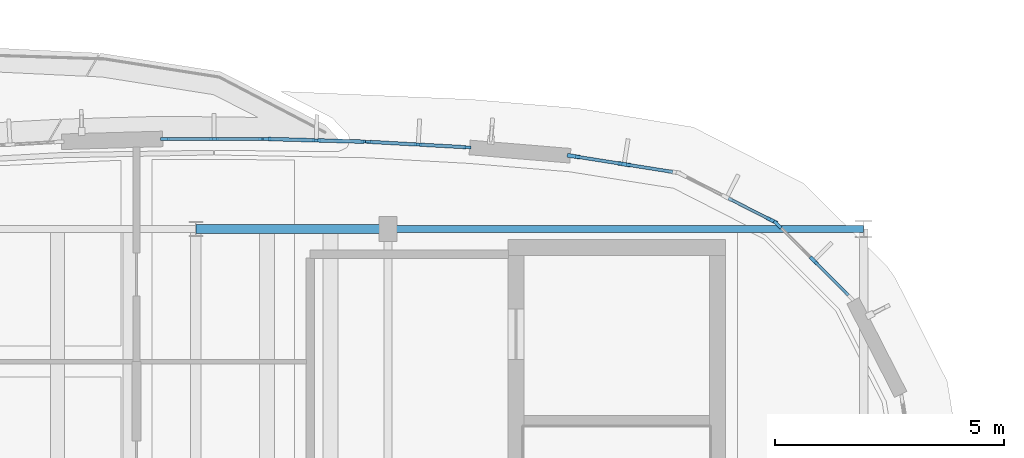
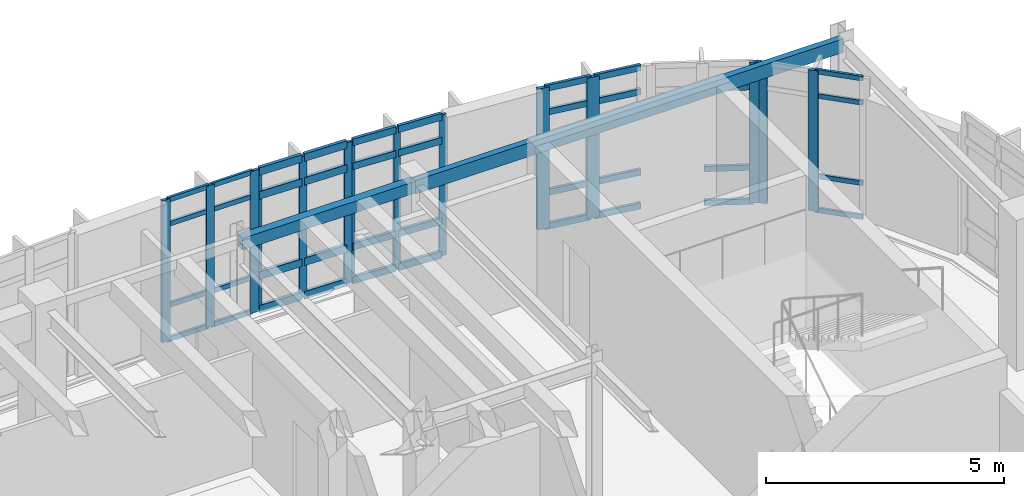
# One storey, part 50 of 105: 53 members, 2 beams, 6 elements without a shape of their own.
"""IFC4 building model written with IfcOpenShell, lengths in metres."""

from ifc_helpers import new_model, si_unit, direction, frame, origin, origin_2d, place, context, subcontext, project, spatial, rectangle, hollow_rectangle, extrude, material, material_profile, profile_set, type_object, element, aggregate, save


model = new_model("IFC4")

# Units and contexts
model_context = context("Model", 3, precision=1e-05, world=origin(), true_north=direction((0.0, 1.0)))
body_context = subcontext(model_context, "Body", "Model", "MODEL_VIEW")
ifc_project = project(units=[si_unit("LENGTHUNIT", "METRE"), si_unit("AREAUNIT", "SQUARE_METRE"), si_unit("VOLUMEUNIT", "CUBIC_METRE"), si_unit("PLANEANGLEUNIT", "RADIAN"), si_unit("MASSUNIT", "GRAM", prefix="KILO")], contexts=[model_context])

# Site, building, storey
site_placement = place(None, origin())
site = spatial("IfcSite", under=ifc_project, at=site_placement, CompositionType="ELEMENT")
building_placement = place(site_placement, origin())
building = spatial("IfcBuilding", under=site, at=building_placement, Name="Corveleigh Park Community Centre", CompositionType="ELEMENT")
storey_placement = place(building_placement, frame((0.0, 0.0, 8.699951171875)))
storey = spatial("IfcBuildingStorey", under=building, at=storey_placement, Name="L02", CompositionType="ELEMENT", Elevation=8.699951171875)

# Curtain wall, members
ifc_material_1 = material(Name="Anodised aluminium 6063-T6", Category="aluminium")
curtain_wall_type = type_object("IfcCurtainWallType", Name="CW-SYS-V4-L01", PredefinedType="NOTDEFINED", material=ifc_material_1)
curtain_wall_1_placement = place(storey_placement, origin())
curtain_wall_1 = element("IfcCurtainWall", 1, at=curtain_wall_1_placement, inside=storey, type_object=curtain_wall_type, Name="V4 L02 Curtain Wall 379", PredefinedType="NOTDEFINED")
ifc_material_profile_1 = material_profile(ifc_material_1, rectangle(XDim=0.06005859375, YDim=0.159912109375, at=origin_2d()), Name="ALU-M60x160", Category="aluminium")
ifc_profile_set_1 = profile_set([ifc_material_profile_1], Name="Anodised aluminium 6063-T6")
member_type_1 = type_object("IfcMemberType", Name="CWM-60x160", PredefinedType="MULLION", material=ifc_profile_set_1)
member_1_placement = place(storey_placement, frame((157.5859375, 106.105224609375, 0.0), z_axis=(0.0, 0.0, 1.0), x_axis=(0.055545052181, 0.998456181902, 0.0)))
member_1 = element("IfcMember", 2, at=member_1_placement, type_object=member_type_1, Name="CW08 mullion 1", PredefinedType="MULLION", context=body_context, shape_type="SweptSolid", body=[
    extrude(rectangle(XDim=0.06005859375, YDim=0.159912109375, at=origin_2d()), origin(), (0.0, 0.0, 1.0), 3.612060546875),
])
member_2_placement = place(storey_placement, frame((158.66162109375, 106.04541015625, 0.0), z_axis=(0.0, 0.0, 1.0), x_axis=(0.055545052181, 0.998456181902, 0.0)))
member_2 = element("IfcMember", 3, at=member_2_placement, type_object=member_type_1, Name="CW08 mullion 2", PredefinedType="MULLION", context=body_context, shape_type="SweptSolid", body=[
    extrude(rectangle(XDim=0.06005859375, YDim=0.159912109375, at=origin_2d()), origin(), (0.0, 0.0, 1.0), 3.612060546875),
])
member_3_placement = place(storey_placement, frame((159.737060546875, 105.985595703125, 0.0), z_axis=(0.0, 0.0, 1.0), x_axis=(0.055545052181, 0.998456181902, 0.0)))
member_3 = element("IfcMember", 4, at=member_3_placement, type_object=member_type_1, Name="CW08 mullion 3", PredefinedType="MULLION", context=body_context, shape_type="SweptSolid", body=[
    extrude(rectangle(XDim=0.06005859375, YDim=0.159912109375, at=origin_2d()), origin(), (0.0, 0.0, 1.0), 3.612060546875),
])

curtain_wall_2_placement = place(storey_placement, origin())
curtain_wall_2 = element("IfcCurtainWall", 5, at=curtain_wall_2_placement, inside=storey, type_object=curtain_wall_type, Name="V4 L02 Curtain Wall 380", PredefinedType="NOTDEFINED")
ifc_material_profile_2 = material_profile(ifc_material_1, rectangle(XDim=0.06494140625, YDim=0.179931640625, at=origin_2d()), Name="ALU-M65x180", Category="aluminium")
ifc_profile_set_2 = profile_set([ifc_material_profile_2], Name="Anodised aluminium 6063-T6")
member_type_2 = type_object("IfcMemberType", Name="CWM-65x180", PredefinedType="MULLION", material=ifc_profile_set_2)
member_4_placement = place(storey_placement, frame((155.357421875, 106.16796875, 0.0), z_axis=(0.0, 0.0, 1.0), x_axis=(0.028005278833, 0.999607775259, 0.0)))
member_4 = element("IfcMember", 6, at=member_4_placement, type_object=member_type_2, Name="CW08 mullion 1", PredefinedType="MULLION", context=body_context, shape_type="SweptSolid", body=[
    extrude(rectangle(XDim=0.06494140625, YDim=0.179931640625, at=origin_2d()), origin(), (0.0, 0.0, 1.0), 3.612060546875),
])
member_5_placement = place(storey_placement, frame((156.431396484375, 106.137939453125, 0.0), z_axis=(0.0, 0.0, 1.0), x_axis=(0.028005278833, 0.999607775259, 0.0)))
member_5 = element("IfcMember", 7, at=member_5_placement, type_object=member_type_2, Name="CW08 mullion 2", PredefinedType="MULLION", context=body_context, shape_type="SweptSolid", body=[
    extrude(rectangle(XDim=0.06494140625, YDim=0.179931640625, at=origin_2d()), origin(), (0.0, 0.0, 1.0), 3.612060546875),
])
member_6_placement = place(storey_placement, frame((157.505615234375, 106.10791015625, 0.0), z_axis=(0.0, 0.0, 1.0), x_axis=(0.028005278833, 0.999607775259, 0.0)))
member_6 = element("IfcMember", 8, at=member_6_placement, type_object=member_type_2, Name="CW08 mullion 3", PredefinedType="MULLION", context=body_context, shape_type="SweptSolid", body=[
    extrude(rectangle(XDim=0.06494140625, YDim=0.179931640625, at=origin_2d()), origin(), (0.0, 0.0, 1.0), 3.612060546875),
])

curtain_wall_3_placement = place(storey_placement, origin())
curtain_wall_3 = element("IfcCurtainWall", 9, at=curtain_wall_3_placement, inside=storey, type_object=curtain_wall_type, Name="V4 L02 Curtain Wall 381", PredefinedType="NOTDEFINED")
ifc_material_profile_3 = material_profile(ifc_material_1, rectangle(XDim=0.070068359375, YDim=0.199951171875, at=origin_2d()), Name="ALU-M70x200", Category="aluminium")
ifc_profile_set_3 = profile_set([ifc_material_profile_3], Name="Anodised aluminium 6063-T6")
member_type_3 = type_object("IfcMemberType", Name="CWM-70x200", PredefinedType="MULLION", material=ifc_profile_set_3)
member_7_placement = place(storey_placement, frame((153.1279296875, 106.1689453125, 0.0), z_axis=(0.0, 0.0, 1.0), x_axis=(0.0, 1.0, 0.0)))
member_7 = element("IfcMember", 10, at=member_7_placement, type_object=member_type_3, Name="CW08 mullion 1", PredefinedType="MULLION", context=body_context, shape_type="SweptSolid", body=[
    extrude(rectangle(XDim=0.070068359375, YDim=0.199951171875, at=origin_2d()), origin(), (0.0, 0.0, 1.0), 3.636962890625),
])
member_8_placement = place(storey_placement, frame((154.199951171875, 106.1689453125, 0.0), z_axis=(0.0, 0.0, 1.0), x_axis=(0.0, 1.0, 0.0)))
member_8 = element("IfcMember", 11, at=member_8_placement, type_object=member_type_3, Name="CW08 mullion 2", PredefinedType="MULLION", context=body_context, shape_type="SweptSolid", body=[
    extrude(rectangle(XDim=0.070068359375, YDim=0.199951171875, at=origin_2d()), origin(), (0.0, 0.0, 1.0), 3.636962890625),
])
member_9_placement = place(storey_placement, frame((155.27197265625, 106.1689453125, 0.0), z_axis=(0.0, 0.0, 1.0), x_axis=(0.0, 1.0, 0.0)))
member_9 = element("IfcMember", 12, at=member_9_placement, type_object=member_type_3, Name="CW08 mullion 3", PredefinedType="MULLION", context=body_context, shape_type="SweptSolid", body=[
    extrude(rectangle(XDim=0.070068359375, YDim=0.199951171875, at=origin_2d()), origin(), (0.0, 0.0, 1.0), 3.636962890625),
])

curtain_wall_4_placement = place(storey_placement, origin())
curtain_wall_4 = element("IfcCurtainWall", 13, at=curtain_wall_4_placement, inside=storey, type_object=curtain_wall_type, Name="V4 L02 Curtain Wall 376", PredefinedType="NOTDEFINED")
ifc_material_profile_4 = material_profile(ifc_material_1, rectangle(XDim=0.074951171875, YDim=0.219970703125, at=origin_2d()), Name="ALU-M75x220", Category="aluminium")
ifc_profile_set_4 = profile_set([ifc_material_profile_4], Name="Anodised aluminium 6063-T6")
member_type_4 = type_object("IfcMemberType", Name="CWM-75x220", PredefinedType="MULLION", material=ifc_profile_set_4)
member_10_placement = place(storey_placement, frame((166.5205078125, 104.29541015625, 0.0), z_axis=(0.0, 0.0, 1.0), x_axis=(0.707106781187, 0.707106781187, 0.0)))
member_10 = element("IfcMember", 14, at=member_10_placement, type_object=member_type_4, Name="CW08 mullion 1", PredefinedType="MULLION", context=body_context, shape_type="SweptSolid", body=[
    extrude(rectangle(XDim=0.074951171875, YDim=0.219970703125, at=origin_2d()), origin(), (0.0, 0.0, 1.0), 3.612060546875),
])
member_11_placement = place(storey_placement, frame((167.30810546875, 103.508056640625, 0.0), z_axis=(0.0, 0.0, 1.0), x_axis=(0.707106781187, 0.707106781187, 0.0)))
member_11 = element("IfcMember", 15, at=member_11_placement, type_object=member_type_4, Name="CW08 mullion 2", PredefinedType="MULLION", context=body_context, shape_type="SweptSolid", body=[
    extrude(rectangle(XDim=0.074951171875, YDim=0.219970703125, at=origin_2d()), origin(), (0.0, 0.0, 1.0), 3.612060546875),
])

# Curtain wall, member
curtain_wall_5_placement = place(storey_placement, origin())
curtain_wall_5 = element("IfcCurtainWall", 16, at=curtain_wall_5_placement, inside=storey, type_object=curtain_wall_type, Name="V4 L02 Curtain Wall 377", PredefinedType="NOTDEFINED")
ifc_material_profile_5 = material_profile(ifc_material_1, rectangle(XDim=0.080078125, YDim=0.25, at=origin_2d()), Name="ALU-M80x250", Category="aluminium")
ifc_profile_set_5 = profile_set([ifc_material_profile_5], Name="Anodised aluminium 6063-T6")
member_type_5 = type_object("IfcMemberType", Name="CWM-80x250", PredefinedType="MULLION", material=ifc_profile_set_5)
member_12_placement = place(storey_placement, frame((166.3974609375, 104.38427734375, 0.0), z_axis=(0.0, 0.0, 1.0), x_axis=(0.454153628935, 0.8909233869, 0.0)))
member_12 = element("IfcMember", 17, at=member_12_placement, type_object=member_type_5, Name="CW08 mullion 3", PredefinedType="MULLION", context=body_context, shape_type="SweptSolid", body=[
    extrude(rectangle(XDim=0.080078125, YDim=0.25, at=origin_2d()), origin(), (0.0, 0.0, 1.0), 3.612060546875),
])

# Curtain wall, members
curtain_wall_6_placement = place(storey_placement, origin())
curtain_wall_6 = element("IfcCurtainWall", 18, at=curtain_wall_6_placement, inside=storey, type_object=curtain_wall_type, Name="V4 L02 Curtain Wall 378", PredefinedType="NOTDEFINED")
ifc_material_profile_6 = material_profile(ifc_material_1, rectangle(XDim=0.0849609375, YDim=0.27490234375, at=origin_2d()), Name="ALU-M85x275", Category="aluminium")
ifc_profile_set_6 = profile_set([ifc_material_profile_6], Name="Anodised aluminium 6063-T6")
member_type_6 = type_object("IfcMemberType", Name="CWM-85x275", PredefinedType="MULLION", material=ifc_profile_set_6)
member_13_placement = place(storey_placement, frame((162.054931640625, 105.791259765625, 0.0), z_axis=(0.0, 0.0, 1.0), x_axis=(0.156448115315, 0.987686178507, 0.0)))
member_13 = element("IfcMember", 19, at=member_13_placement, type_object=member_type_6, Name="CW08 mullion 1", PredefinedType="MULLION", context=body_context, shape_type="SweptSolid", body=[
    extrude(rectangle(XDim=0.0849609375, YDim=0.27490234375, at=origin_2d()), origin(), (0.0, 0.0, 1.0), 3.612060546875),
])
member_14_placement = place(storey_placement, frame((163.162109375, 105.615966796875, 0.0), z_axis=(0.0, 0.0, 1.0), x_axis=(0.156448115315, 0.987686178507, 0.0)))
member_14 = element("IfcMember", 20, at=member_14_placement, type_object=member_type_6, Name="CW08 mullion 2", PredefinedType="MULLION", context=body_context, shape_type="SweptSolid", body=[
    extrude(rectangle(XDim=0.0849609375, YDim=0.27490234375, at=origin_2d()), origin(), (0.0, 0.0, 1.0), 3.612060546875),
])

# Member
ifc_material_profile_7 = material_profile(ifc_material_1, rectangle(XDim=0.06005859375, YDim=0.1201171875, at=origin_2d()), Name="ALU-T60x120", Category="aluminium")
ifc_profile_set_7 = profile_set([ifc_material_profile_7], Name="Anodised aluminium 6063-T6")
member_type_7 = type_object("IfcMemberType", Name="CWT-60x120", PredefinedType="USERDEFINED", material=ifc_profile_set_7)
member_15_placement = place(storey_placement, frame((167.33447265625, 103.4814453125, 0.030029296875), z_axis=(0.707106781187, -0.707106781187, 0.0), x_axis=(0.707106781187, 0.707106781187, 0.0)))
member_15 = element("IfcMember", 21, at=member_15_placement, type_object=member_type_7, Name="CW08 transom 2.1", ObjectType="TRANSOM", PredefinedType="USERDEFINED", context=body_context, shape_type="SweptSolid", body=[
    extrude(rectangle(XDim=0.06005859375, YDim=0.1201171875, at=origin_2d()), origin(), (0.0, 0.0, 1.0), 1.03857421875),
])

member_16_placement = place(storey_placement, frame((167.33447265625, 103.4814453125, 0.900146484375), z_axis=(0.707106781187, -0.707106781187, 0.0), x_axis=(0.707106781187, 0.707106781187, 0.0)))
member_16 = element("IfcMember", 22, at=member_16_placement, type_object=member_type_7, Name="CW08 transom 2.2", ObjectType="TRANSOM", PredefinedType="USERDEFINED", context=body_context, shape_type="SweptSolid", body=[
    extrude(rectangle(XDim=0.06005859375, YDim=0.1201171875, at=origin_2d()), origin(), (0.0, 0.0, 1.0), 1.03857421875),
])

member_17_placement = place(storey_placement, frame((167.33447265625, 103.4814453125, 2.962158203125), z_axis=(0.707106781187, -0.707106781187, 0.0), x_axis=(0.707106781187, 0.707106781187, 0.0)))
member_17 = element("IfcMember", 23, at=member_17_placement, type_object=member_type_7, Name="CW08 transom 2.3", ObjectType="TRANSOM", PredefinedType="USERDEFINED", context=body_context, shape_type="SweptSolid", body=[
    extrude(rectangle(XDim=0.06005859375, YDim=0.1201171875, at=origin_2d()), origin(), (0.0, 0.0, 1.0), 1.03857421875),
])

member_18_placement = place(storey_placement, frame((167.33447265625, 103.4814453125, 3.58203125), z_axis=(0.707106781187, -0.707106781187, 0.0), x_axis=(0.707106781187, 0.707106781187, 0.0)))
member_18 = element("IfcMember", 24, at=member_18_placement, type_object=member_type_7, Name="CW08 transom 2.4", ObjectType="TRANSOM", PredefinedType="USERDEFINED", context=body_context, shape_type="SweptSolid", body=[
    extrude(rectangle(XDim=0.06005859375, YDim=0.1201171875, at=origin_2d()), origin(), (0.0, 0.0, 1.0), 1.03857421875),
])

aggregate(curtain_wall_4, [member_10, member_11, member_15, member_16, member_17, member_18])

member_19_placement = place(storey_placement, frame((153.1630859375, 106.1689453125, 0.030029296875), z_axis=(1.0, 0.0, 0.0), x_axis=(0.0, 1.0, 0.0)))
member_19 = element("IfcMember", 25, at=member_19_placement, type_object=member_type_7, Name="CW08 transom 1.1", ObjectType="TRANSOM", PredefinedType="USERDEFINED", context=body_context, shape_type="SweptSolid", body=[
    extrude(rectangle(XDim=0.06005859375, YDim=0.1201171875, at=origin_2d()), origin(), (0.0, 0.0, 1.0), 1.001953125),
])

member_20_placement = place(storey_placement, frame((153.1630859375, 106.1689453125, 0.900146484375), z_axis=(1.0, 0.0, 0.0), x_axis=(0.0, 1.0, 0.0)))
member_20 = element("IfcMember", 26, at=member_20_placement, type_object=member_type_7, Name="CW08 transom 1.2", ObjectType="TRANSOM", PredefinedType="USERDEFINED", context=body_context, shape_type="SweptSolid", body=[
    extrude(rectangle(XDim=0.06005859375, YDim=0.1201171875, at=origin_2d()), origin(), (0.0, 0.0, 1.0), 1.001953125),
])

member_21_placement = place(storey_placement, frame((153.1630859375, 106.1689453125, 2.987060546875), z_axis=(1.0, 0.0, 0.0), x_axis=(0.0, 1.0, 0.0)))
member_21 = element("IfcMember", 27, at=member_21_placement, type_object=member_type_7, Name="CW08 transom 1.3", ObjectType="TRANSOM", PredefinedType="USERDEFINED", context=body_context, shape_type="SweptSolid", body=[
    extrude(rectangle(XDim=0.06005859375, YDim=0.1201171875, at=origin_2d()), origin(), (0.0, 0.0, 1.0), 1.001953125),
])

member_22_placement = place(storey_placement, frame((153.1630859375, 106.1689453125, 3.60693359375), z_axis=(1.0, 0.0, 0.0), x_axis=(0.0, 1.0, 0.0)))
member_22 = element("IfcMember", 28, at=member_22_placement, type_object=member_type_7, Name="CW08 transom 1.4", ObjectType="TRANSOM", PredefinedType="USERDEFINED", context=body_context, shape_type="SweptSolid", body=[
    extrude(rectangle(XDim=0.06005859375, YDim=0.1201171875, at=origin_2d()), origin(), (0.0, 0.0, 1.0), 1.001953125),
])

member_23_placement = place(storey_placement, frame((154.235107421875, 106.1689453125, 0.030029296875), z_axis=(1.0, 0.0, 0.0), x_axis=(0.0, 1.0, 0.0)))
member_23 = element("IfcMember", 29, at=member_23_placement, type_object=member_type_7, Name="CW08 transom 2.1", ObjectType="TRANSOM", PredefinedType="USERDEFINED", context=body_context, shape_type="SweptSolid", body=[
    extrude(rectangle(XDim=0.06005859375, YDim=0.1201171875, at=origin_2d()), origin(), (0.0, 0.0, 1.0), 1.001953125),
])

member_24_placement = place(storey_placement, frame((154.235107421875, 106.1689453125, 0.900146484375), z_axis=(1.0, 0.0, 0.0), x_axis=(0.0, 1.0, 0.0)))
member_24 = element("IfcMember", 30, at=member_24_placement, type_object=member_type_7, Name="CW08 transom 2.2", ObjectType="TRANSOM", PredefinedType="USERDEFINED", context=body_context, shape_type="SweptSolid", body=[
    extrude(rectangle(XDim=0.06005859375, YDim=0.1201171875, at=origin_2d()), origin(), (0.0, 0.0, 1.0), 1.001953125),
])

member_25_placement = place(storey_placement, frame((154.235107421875, 106.1689453125, 2.987060546875), z_axis=(1.0, 0.0, 0.0), x_axis=(0.0, 1.0, 0.0)))
member_25 = element("IfcMember", 31, at=member_25_placement, type_object=member_type_7, Name="CW08 transom 2.3", ObjectType="TRANSOM", PredefinedType="USERDEFINED", context=body_context, shape_type="SweptSolid", body=[
    extrude(rectangle(XDim=0.06005859375, YDim=0.1201171875, at=origin_2d()), origin(), (0.0, 0.0, 1.0), 1.001953125),
])

member_26_placement = place(storey_placement, frame((154.235107421875, 106.1689453125, 3.60693359375), z_axis=(1.0, 0.0, 0.0), x_axis=(0.0, 1.0, 0.0)))
member_26 = element("IfcMember", 32, at=member_26_placement, type_object=member_type_7, Name="CW08 transom 2.4", ObjectType="TRANSOM", PredefinedType="USERDEFINED", context=body_context, shape_type="SweptSolid", body=[
    extrude(rectangle(XDim=0.06005859375, YDim=0.1201171875, at=origin_2d()), origin(), (0.0, 0.0, 1.0), 1.001953125),
])

aggregate(curtain_wall_3, [member_7, member_8, member_9, member_19, member_20, member_21, member_22, member_23, member_24, member_25, member_26])

ifc_material_profile_8 = material_profile(ifc_material_1, rectangle(XDim=0.06494140625, YDim=0.139892578125, at=origin_2d()), Name="ALU-T65x140", Category="aluminium")
ifc_profile_set_8 = profile_set([ifc_material_profile_8], Name="Anodised aluminium 6063-T6")
member_type_8 = type_object("IfcMemberType", Name="CWT-65x140", PredefinedType="USERDEFINED", material=ifc_profile_set_8)
member_27_placement = place(storey_placement, frame((165.443603515625, 104.870361328125, 0.032470703125), z_axis=(0.890941854698, -0.45411739842, 0.0), x_axis=(0.45411739842, 0.890941854698, 0.0)))
member_27 = element("IfcMember", 33, at=member_27_placement, type_object=member_type_8, Name="CW08 transom 2.1", ObjectType="TRANSOM", PredefinedType="USERDEFINED", context=body_context, shape_type="SweptSolid", body=[
    extrude(rectangle(XDim=0.06494140625, YDim=0.139892578125, at=origin_2d()), origin(), (0.0, 0.0, 1.0), 1.030517578125),
])

member_28_placement = place(storey_placement, frame((165.443603515625, 104.870361328125, 0.900146484375), z_axis=(0.890941854698, -0.45411739842, 0.0), x_axis=(0.45411739842, 0.890941854698, 0.0)))
member_28 = element("IfcMember", 34, at=member_28_placement, type_object=member_type_8, Name="CW08 transom 2.2", ObjectType="TRANSOM", PredefinedType="USERDEFINED", context=body_context, shape_type="SweptSolid", body=[
    extrude(rectangle(XDim=0.06494140625, YDim=0.139892578125, at=origin_2d()), origin(), (0.0, 0.0, 1.0), 1.030517578125),
])

member_29_placement = place(storey_placement, frame((165.443603515625, 104.870361328125, 2.962158203125), z_axis=(0.890941854698, -0.45411739842, 0.0), x_axis=(0.45411739842, 0.890941854698, 0.0)))
member_29 = element("IfcMember", 35, at=member_29_placement, type_object=member_type_8, Name="CW08 transom 2.3", ObjectType="TRANSOM", PredefinedType="USERDEFINED", context=body_context, shape_type="SweptSolid", body=[
    extrude(rectangle(XDim=0.06494140625, YDim=0.139892578125, at=origin_2d()), origin(), (0.0, 0.0, 1.0), 1.030517578125),
])

aggregate(curtain_wall_5, [member_12, member_27, member_28, member_29])

ifc_material_profile_9 = material_profile(ifc_material_1, rectangle(XDim=0.070068359375, YDim=0.155029296875, at=origin_2d()), Name="ALU-T70x155", Category="aluminium")
ifc_profile_set_9 = profile_set([ifc_material_profile_9], Name="Anodised aluminium 6063-T6")
member_type_9 = type_object("IfcMemberType", Name="CWT-70x155", PredefinedType="USERDEFINED", material=ifc_profile_set_9)
member_30_placement = place(storey_placement, frame((162.096923828125, 105.78466796875, 0.03515625), z_axis=(0.987680663252, -0.156482930184, 0.0), x_axis=(0.156482930184, 0.987680663252, 0.0)))
member_30 = element("IfcMember", 36, at=member_30_placement, type_object=member_type_9, Name="CW08 transom 1.1", ObjectType="TRANSOM", PredefinedType="USERDEFINED", context=body_context, shape_type="SweptSolid", body=[
    extrude(rectangle(XDim=0.070068359375, YDim=0.155029296875, at=origin_2d()), origin(), (0.0, 0.0, 1.0), 1.035888671875),
])

member_31_placement = place(storey_placement, frame((162.096923828125, 105.78466796875, 0.900146484375), z_axis=(0.987680663252, -0.156482930184, 0.0), x_axis=(0.156482930184, 0.987680663252, 0.0)))
member_31 = element("IfcMember", 37, at=member_31_placement, type_object=member_type_9, Name="CW08 transom 1.2", ObjectType="TRANSOM", PredefinedType="USERDEFINED", context=body_context, shape_type="SweptSolid", body=[
    extrude(rectangle(XDim=0.070068359375, YDim=0.155029296875, at=origin_2d()), origin(), (0.0, 0.0, 1.0), 1.035888671875),
])

member_32_placement = place(storey_placement, frame((162.096923828125, 105.78466796875, 2.962158203125), z_axis=(0.987680663252, -0.156482930184, 0.0), x_axis=(0.156482930184, 0.987680663252, 0.0)))
member_32 = element("IfcMember", 38, at=member_32_placement, type_object=member_type_9, Name="CW08 transom 1.3", ObjectType="TRANSOM", PredefinedType="USERDEFINED", context=body_context, shape_type="SweptSolid", body=[
    extrude(rectangle(XDim=0.070068359375, YDim=0.155029296875, at=origin_2d()), origin(), (0.0, 0.0, 1.0), 1.035888671875),
])

member_33_placement = place(storey_placement, frame((162.096923828125, 105.78466796875, 3.5771484375), z_axis=(0.987680663252, -0.156482930184, 0.0), x_axis=(0.156482930184, 0.987680663252, 0.0)))
member_33 = element("IfcMember", 39, at=member_33_placement, type_object=member_type_9, Name="CW08 transom 1.4", ObjectType="TRANSOM", PredefinedType="USERDEFINED", context=body_context, shape_type="SweptSolid", body=[
    extrude(rectangle(XDim=0.070068359375, YDim=0.155029296875, at=origin_2d()), origin(), (0.0, 0.0, 1.0), 1.035888671875),
])

member_34_placement = place(storey_placement, frame((163.203857421875, 105.609375, 0.03515625), z_axis=(0.987680663252, -0.156482930184, 0.0), x_axis=(0.156482930184, 0.987680663252, 0.0)))
member_34 = element("IfcMember", 40, at=member_34_placement, type_object=member_type_9, Name="CW08 transom 2.1", ObjectType="TRANSOM", PredefinedType="USERDEFINED", context=body_context, shape_type="SweptSolid", body=[
    extrude(rectangle(XDim=0.070068359375, YDim=0.155029296875, at=origin_2d()), origin(), (0.0, 0.0, 1.0), 1.035888671875),
])

member_35_placement = place(storey_placement, frame((163.203857421875, 105.609375, 0.900146484375), z_axis=(0.987680663252, -0.156482930184, 0.0), x_axis=(0.156482930184, 0.987680663252, 0.0)))
member_35 = element("IfcMember", 41, at=member_35_placement, type_object=member_type_9, Name="CW08 transom 2.2", ObjectType="TRANSOM", PredefinedType="USERDEFINED", context=body_context, shape_type="SweptSolid", body=[
    extrude(rectangle(XDim=0.070068359375, YDim=0.155029296875, at=origin_2d()), origin(), (0.0, 0.0, 1.0), 1.035888671875),
])

member_36_placement = place(storey_placement, frame((163.203857421875, 105.609375, 2.962158203125), z_axis=(0.987680663252, -0.156482930184, 0.0), x_axis=(0.156482930184, 0.987680663252, 0.0)))
member_36 = element("IfcMember", 42, at=member_36_placement, type_object=member_type_9, Name="CW08 transom 2.3", ObjectType="TRANSOM", PredefinedType="USERDEFINED", context=body_context, shape_type="SweptSolid", body=[
    extrude(rectangle(XDim=0.070068359375, YDim=0.155029296875, at=origin_2d()), origin(), (0.0, 0.0, 1.0), 1.035888671875),
])

member_37_placement = place(storey_placement, frame((163.203857421875, 105.609375, 3.5771484375), z_axis=(0.987680663252, -0.156482930184, 0.0), x_axis=(0.156482930184, 0.987680663252, 0.0)))
member_37 = element("IfcMember", 43, at=member_37_placement, type_object=member_type_9, Name="CW08 transom 2.4", ObjectType="TRANSOM", PredefinedType="USERDEFINED", context=body_context, shape_type="SweptSolid", body=[
    extrude(rectangle(XDim=0.070068359375, YDim=0.155029296875, at=origin_2d()), origin(), (0.0, 0.0, 1.0), 1.035888671875),
])

aggregate(curtain_wall_6, [member_13, member_14, member_30, member_31, member_32, member_33, member_34, member_35, member_36, member_37])

ifc_material_profile_10 = material_profile(ifc_material_1, rectangle(XDim=0.074951171875, YDim=0.175048828125, at=origin_2d()), Name="ALU-T75x175", Category="aluminium")
ifc_profile_set_10 = profile_set([ifc_material_profile_10], Name="Anodised aluminium 6063-T6")
member_type_10 = type_object("IfcMemberType", Name="CWT-75x175", PredefinedType="USERDEFINED", material=ifc_profile_set_10)
member_38_placement = place(storey_placement, frame((157.615966796875, 106.103759765625, 0.03759765625), z_axis=(0.998448514594, -0.055682705622, 0.0), x_axis=(0.055682705622, 0.998448514594, 0.0)))
member_38 = element("IfcMember", 44, at=member_38_placement, type_object=member_type_10, Name="CW08 transom 1.1", ObjectType="TRANSOM", PredefinedType="USERDEFINED", context=body_context, shape_type="SweptSolid", body=[
    extrude(rectangle(XDim=0.074951171875, YDim=0.175048828125, at=origin_2d()), origin(), (0.0, 0.0, 1.0), 1.01708984375),
])

member_39_placement = place(storey_placement, frame((157.615966796875, 106.103759765625, 0.900146484375), z_axis=(0.998448514594, -0.055682705622, 0.0), x_axis=(0.055682705622, 0.998448514594, 0.0)))
member_39 = element("IfcMember", 45, at=member_39_placement, type_object=member_type_10, Name="CW08 transom 1.2", ObjectType="TRANSOM", PredefinedType="USERDEFINED", context=body_context, shape_type="SweptSolid", body=[
    extrude(rectangle(XDim=0.074951171875, YDim=0.175048828125, at=origin_2d()), origin(), (0.0, 0.0, 1.0), 1.01708984375),
])

member_40_placement = place(storey_placement, frame((157.615966796875, 106.103759765625, 2.962158203125), z_axis=(0.998448514594, -0.055682705622, 0.0), x_axis=(0.055682705622, 0.998448514594, 0.0)))
member_40 = element("IfcMember", 46, at=member_40_placement, type_object=member_type_10, Name="CW08 transom 1.3", ObjectType="TRANSOM", PredefinedType="USERDEFINED", context=body_context, shape_type="SweptSolid", body=[
    extrude(rectangle(XDim=0.074951171875, YDim=0.175048828125, at=origin_2d()), origin(), (0.0, 0.0, 1.0), 1.01708984375),
])

member_41_placement = place(storey_placement, frame((157.615966796875, 106.103759765625, 3.574462890625), z_axis=(0.998448514594, -0.055682705622, 0.0), x_axis=(0.055682705622, 0.998448514594, 0.0)))
member_41 = element("IfcMember", 47, at=member_41_placement, type_object=member_type_10, Name="CW08 transom 1.4", ObjectType="TRANSOM", PredefinedType="USERDEFINED", context=body_context, shape_type="SweptSolid", body=[
    extrude(rectangle(XDim=0.074951171875, YDim=0.175048828125, at=origin_2d()), origin(), (0.0, 0.0, 1.0), 1.01708984375),
])

member_42_placement = place(storey_placement, frame((158.69140625, 106.0439453125, 0.03759765625), z_axis=(0.998448514594, -0.055682705622, 0.0), x_axis=(0.055682705622, 0.998448514594, 0.0)))
member_42 = element("IfcMember", 48, at=member_42_placement, type_object=member_type_10, Name="CW08 transom 2.1", ObjectType="TRANSOM", PredefinedType="USERDEFINED", context=body_context, shape_type="SweptSolid", body=[
    extrude(rectangle(XDim=0.074951171875, YDim=0.175048828125, at=origin_2d()), origin(), (0.0, 0.0, 1.0), 1.01708984375),
])

member_43_placement = place(storey_placement, frame((158.69140625, 106.0439453125, 0.900146484375), z_axis=(0.998448514594, -0.055682705622, 0.0), x_axis=(0.055682705622, 0.998448514594, 0.0)))
member_43 = element("IfcMember", 49, at=member_43_placement, type_object=member_type_10, Name="CW08 transom 2.2", ObjectType="TRANSOM", PredefinedType="USERDEFINED", context=body_context, shape_type="SweptSolid", body=[
    extrude(rectangle(XDim=0.074951171875, YDim=0.175048828125, at=origin_2d()), origin(), (0.0, 0.0, 1.0), 1.01708984375),
])

member_44_placement = place(storey_placement, frame((158.69140625, 106.0439453125, 2.962158203125), z_axis=(0.998448514594, -0.055682705622, 0.0), x_axis=(0.055682705622, 0.998448514594, 0.0)))
member_44 = element("IfcMember", 50, at=member_44_placement, type_object=member_type_10, Name="CW08 transom 2.3", ObjectType="TRANSOM", PredefinedType="USERDEFINED", context=body_context, shape_type="SweptSolid", body=[
    extrude(rectangle(XDim=0.074951171875, YDim=0.175048828125, at=origin_2d()), origin(), (0.0, 0.0, 1.0), 1.01708984375),
])

member_45_placement = place(storey_placement, frame((158.69140625, 106.0439453125, 3.574462890625), z_axis=(0.998448514594, -0.055682705622, 0.0), x_axis=(0.055682705622, 0.998448514594, 0.0)))
member_45 = element("IfcMember", 51, at=member_45_placement, type_object=member_type_10, Name="CW08 transom 2.4", ObjectType="TRANSOM", PredefinedType="USERDEFINED", context=body_context, shape_type="SweptSolid", body=[
    extrude(rectangle(XDim=0.074951171875, YDim=0.175048828125, at=origin_2d()), origin(), (0.0, 0.0, 1.0), 1.01708984375),
])

aggregate(curtain_wall_1, [member_1, member_2, member_3, member_38, member_39, member_40, member_41, member_42, member_43, member_44, member_45])

ifc_material_profile_11 = material_profile(ifc_material_1, rectangle(XDim=0.080078125, YDim=0.195068359375, at=origin_2d()), Name="ALU-T80x195", Category="aluminium")
ifc_profile_set_11 = profile_set([ifc_material_profile_11], Name="Anodised aluminium 6063-T6")
member_type_11 = type_object("IfcMemberType", Name="CWT-80x195", PredefinedType="USERDEFINED", material=ifc_profile_set_11)
member_46_placement = place(storey_placement, frame((155.389892578125, 106.167236328125, 0.0400390625), z_axis=(0.999606360492, -0.028055731386, 0.0), x_axis=(0.028055731386, 0.999606360492, 0.0)))
member_46 = element("IfcMember", 52, at=member_46_placement, type_object=member_type_11, Name="CW08 transom 1.1", ObjectType="TRANSOM", PredefinedType="USERDEFINED", context=body_context, shape_type="SweptSolid", body=[
    extrude(rectangle(XDim=0.080078125, YDim=0.195068359375, at=origin_2d()), origin(), (0.0, 0.0, 1.0), 1.009521484375),
])

member_47_placement = place(storey_placement, frame((155.389892578125, 106.167236328125, 0.900146484375), z_axis=(0.999606360492, -0.028055731386, 0.0), x_axis=(0.028055731386, 0.999606360492, 0.0)))
member_47 = element("IfcMember", 53, at=member_47_placement, type_object=member_type_11, Name="CW08 transom 1.2", ObjectType="TRANSOM", PredefinedType="USERDEFINED", context=body_context, shape_type="SweptSolid", body=[
    extrude(rectangle(XDim=0.080078125, YDim=0.195068359375, at=origin_2d()), origin(), (0.0, 0.0, 1.0), 1.009521484375),
])

member_48_placement = place(storey_placement, frame((155.389892578125, 106.167236328125, 2.962158203125), z_axis=(0.999606360492, -0.028055731386, 0.0), x_axis=(0.028055731386, 0.999606360492, 0.0)))
member_48 = element("IfcMember", 54, at=member_48_placement, type_object=member_type_11, Name="CW08 transom 1.3", ObjectType="TRANSOM", PredefinedType="USERDEFINED", context=body_context, shape_type="SweptSolid", body=[
    extrude(rectangle(XDim=0.080078125, YDim=0.195068359375, at=origin_2d()), origin(), (0.0, 0.0, 1.0), 1.009521484375),
])

member_49_placement = place(storey_placement, frame((155.389892578125, 106.167236328125, 3.572021484375), z_axis=(0.999606360492, -0.028055731386, 0.0), x_axis=(0.028055731386, 0.999606360492, 0.0)))
member_49 = element("IfcMember", 55, at=member_49_placement, type_object=member_type_11, Name="CW08 transom 1.4", ObjectType="TRANSOM", PredefinedType="USERDEFINED", context=body_context, shape_type="SweptSolid", body=[
    extrude(rectangle(XDim=0.080078125, YDim=0.195068359375, at=origin_2d()), origin(), (0.0, 0.0, 1.0), 1.009521484375),
])

member_50_placement = place(storey_placement, frame((156.4638671875, 106.13720703125, 0.0400390625), z_axis=(0.999606550797, -0.028048950143, 0.0), x_axis=(0.028048950143, 0.999606550797, 0.0)))
member_50 = element("IfcMember", 56, at=member_50_placement, type_object=member_type_11, Name="CW08 transom 2.1", ObjectType="TRANSOM", PredefinedType="USERDEFINED", context=body_context, shape_type="SweptSolid", body=[
    extrude(rectangle(XDim=0.080078125, YDim=0.195068359375, at=origin_2d()), origin(), (0.0, 0.0, 1.0), 1.009765625),
])

member_51_placement = place(storey_placement, frame((156.4638671875, 106.13720703125, 0.900146484375), z_axis=(0.999606550797, -0.028048950143, 0.0), x_axis=(0.028048950143, 0.999606550797, 0.0)))
member_51 = element("IfcMember", 57, at=member_51_placement, type_object=member_type_11, Name="CW08 transom 2.2", ObjectType="TRANSOM", PredefinedType="USERDEFINED", context=body_context, shape_type="SweptSolid", body=[
    extrude(rectangle(XDim=0.080078125, YDim=0.195068359375, at=origin_2d()), origin(), (0.0, 0.0, 1.0), 1.009765625),
])

member_52_placement = place(storey_placement, frame((156.4638671875, 106.13720703125, 2.962158203125), z_axis=(0.999606550797, -0.028048950143, 0.0), x_axis=(0.028048950143, 0.999606550797, 0.0)))
member_52 = element("IfcMember", 58, at=member_52_placement, type_object=member_type_11, Name="CW08 transom 2.3", ObjectType="TRANSOM", PredefinedType="USERDEFINED", context=body_context, shape_type="SweptSolid", body=[
    extrude(rectangle(XDim=0.080078125, YDim=0.195068359375, at=origin_2d()), origin(), (0.0, 0.0, 1.0), 1.009765625),
])

member_53_placement = place(storey_placement, frame((156.4638671875, 106.13720703125, 3.572021484375), z_axis=(0.999606550797, -0.028048950143, 0.0), x_axis=(0.028048950143, 0.999606550797, 0.0)))
member_53 = element("IfcMember", 59, at=member_53_placement, type_object=member_type_11, Name="CW08 transom 2.4", ObjectType="TRANSOM", PredefinedType="USERDEFINED", context=body_context, shape_type="SweptSolid", body=[
    extrude(rectangle(XDim=0.080078125, YDim=0.195068359375, at=origin_2d()), origin(), (0.0, 0.0, 1.0), 1.009765625),
])

aggregate(curtain_wall_2, [member_4, member_5, member_6, member_46, member_47, member_48, member_49, member_50, member_51, member_52, member_53])

# Beams
ifc_material_2 = material(Name="Steel S355", Category="steel")
ifc_material_profile_12 = material_profile(ifc_material_2, hollow_rectangle(XDim=0.199951171875, YDim=0.300048828125, WallThickness=0.012451171875, at=origin_2d()), Name="RHS 300x200x12.5", Category="steel")
ifc_profile_set_12 = profile_set([ifc_material_profile_12], Name="Steel S355")
beam_type_1 = type_object("IfcBeamType", Name="SP-STL-RHS300x200", PredefinedType="SPANDREL", material=ifc_profile_set_12)
beam_1_placement = place(storey_placement, frame((153.804931640625, 104.199951171875, 3.491943359375), z_axis=(1.0, 0.0, 0.0), x_axis=(0.0, 1.0, 0.0)))
element("IfcBeam", 60, at=beam_1_placement, inside=storey, type_object=beam_type_1, Name="V4 Girder X", PredefinedType="SPANDREL", context=body_context, shape_type="SweptSolid", body=[
    extrude(hollow_rectangle(XDim=0.199951171875, YDim=0.300048828125, WallThickness=0.012451171875, at=origin_2d()), origin(), (0.0, 0.0, 1.0), 4.190185546875),
])
ifc_material_profile_13 = material_profile(ifc_material_2, hollow_rectangle(XDim=0.14990234375, YDim=0.35009765625, WallThickness=0.012451171875, at=origin_2d()), Name="RHS 350x150x12.5", Category="steel")
ifc_profile_set_13 = profile_set([ifc_material_profile_13], Name="Steel S355")
beam_type_2 = type_object("IfcBeamType", Name="SP-STL-RHS350x150", PredefinedType="SPANDREL", material=ifc_profile_set_13)
beam_2_placement = place(storey_placement, frame((158.0048828125, 104.199951171875, 3.467041015625), z_axis=(1.0, 0.0, 0.0), x_axis=(0.0, 1.0, 0.0)))
element("IfcBeam", 61, at=beam_2_placement, inside=storey, type_object=beam_type_2, Name="V4 Girder X", PredefinedType="SPANDREL", context=body_context, shape_type="SweptSolid", body=[
    extrude(hollow_rectangle(XDim=0.14990234375, YDim=0.35009765625, WallThickness=0.012451171875, at=origin_2d()), origin(), (0.0, 0.0, 1.0), 10.39013671875),
])

save(model, "model.ifc")
